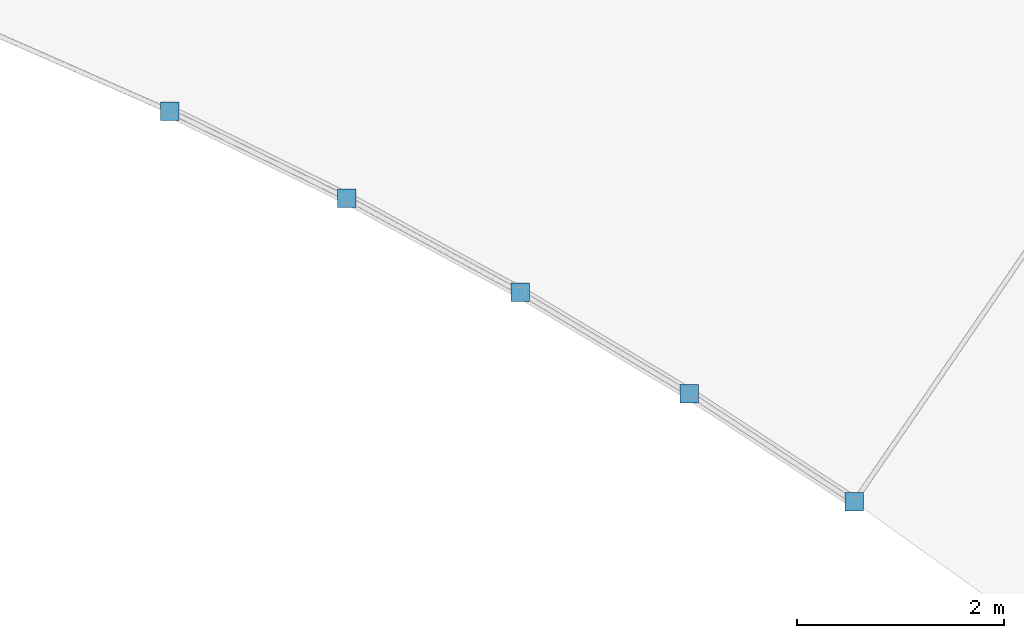
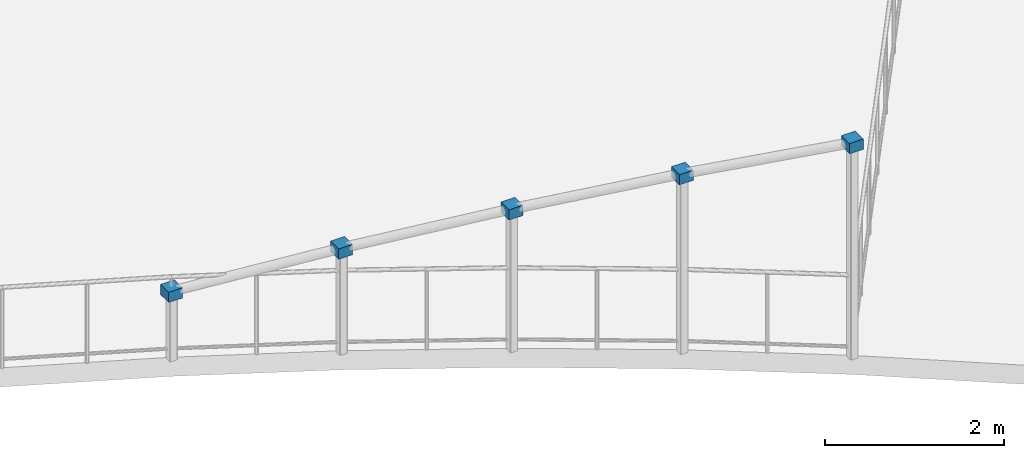
# One storey, part 48 of 58: 5 discrete accessories.
"""IFC4 building model written with IfcOpenShell, lengths in metres."""

import ifcopenshell
import ifcopenshell.guid

model = None  # the IFC model being written
_history = None  # IfcOwnerHistory: only IFC2X3 demands one
_inside = {}  # id of a spatial element -> (the spatial element, [elements in it])
_under = {}  # id of a project, library or spatial element -> (it, [spatial elements below it])
_declared = {}  # id of a project -> (the project, [libraries it declares])
_typed = {}  # id of a type object -> (the type object, [elements of that type])
_made_of = {}  # id of a material, layer set ... -> (it, [elements and type objects made of it])


def new_model(schema):
    """Start an empty IFC model of exactly this schema.

    Asked for "IFC4X3", IfcOpenShell would pick the latest addendum, in which some entities
    have other attributes; the version numbers below select the first issue.
    IFC2X3 requires an IfcOwnerHistory on every rooted entity: one is made here for all.
    """
    global model, _history
    if schema == "IFC4X3":
        model = ifcopenshell.file(schema_version=(4, 3, 0, 0))
    else:
        model = ifcopenshell.file(schema=schema)
    _inside.clear()
    _under.clear()
    _declared.clear()
    _typed.clear()
    _made_of.clear()
    _history = None
    if model.schema == "IFC2X3":
        org = make("IfcOrganization", Name="unknown")
        user = make(
            "IfcPersonAndOrganization",
            ThePerson=make("IfcPerson", FamilyName="unknown"),
            TheOrganization=org,
        )
        app = make(
            "IfcApplication",
            ApplicationDeveloper=org,
            Version="unknown",
            ApplicationFullName="unknown",
            ApplicationIdentifier="unknown",
        )
        _history = make(
            "IfcOwnerHistory",
            OwningUser=user,
            OwningApplication=app,
            ChangeAction="ADDED",
            CreationDate=0,
        )
    return model


def make(cls, **values):
    """One entity of the class cls with the attributes given. An attribute that is None is left unset."""
    return model.create_entity(
        cls, **{name: value for name, value in values.items() if value is not None}
    )


def rooted(cls, **values):
    """An entity with a GlobalId (a new one), such as an element, a storey or a relation."""
    return make(cls, GlobalId=ifcopenshell.guid.new(), OwnerHistory=_history, **values)


def si_unit(unit_type, name, prefix=None):
    """IfcSIUnit, for example si_unit("LENGTHUNIT", "METRE", prefix="MILLI")."""
    return make("IfcSIUnit", UnitType=unit_type, Prefix=prefix, Name=name)


def assignment(units):
    """IfcUnitAssignment: the units of a project."""
    return None if units is None else make("IfcUnitAssignment", Units=units)


def point(xyz):
    """IfcCartesianPoint."""
    return None if xyz is None else make("IfcCartesianPoint", Coordinates=xyz)


def direction(xyz):
    """IfcDirection."""
    return None if xyz is None else make("IfcDirection", DirectionRatios=xyz)


def frame(location, z_axis=None, x_axis=None):
    """IfcAxis2Placement3D, a coordinate frame: its origin and axes. An axis left out is left unset."""
    return make(
        "IfcAxis2Placement3D",
        Location=point(location),
        Axis=direction(z_axis),
        RefDirection=direction(x_axis),
    )


def frame_2d(location, x_axis=None):
    """IfcAxis2Placement2D, a coordinate frame in the plane: its origin and x axis."""
    return make(
        "IfcAxis2Placement2D", Location=point(location), RefDirection=direction(x_axis)
    )


def origin():
    """The frame at (0, 0, 0) with its axes left unset."""
    return frame((0.0, 0.0, 0.0))


def origin_2d():
    """The frame at (0, 0) in the plane with its x axis left unset."""
    return frame_2d((0.0, 0.0))


def place(relative_to, where):
    """IfcLocalPlacement: puts the frame where relative to a parent placement (None: the world)."""
    return make(
        "IfcLocalPlacement", PlacementRelTo=relative_to, RelativePlacement=where
    )


def context(
    kind, dimensions, precision=None, world=None, true_north=None, identifier=None
):
    """IfcGeometricRepresentationContext, for example the 3D "Model" context."""
    return make(
        "IfcGeometricRepresentationContext",
        ContextIdentifier=identifier,
        ContextType=kind,
        CoordinateSpaceDimension=dimensions,
        Precision=precision,
        WorldCoordinateSystem=world,
        TrueNorth=true_north,
    )


def subcontext(parent, identifier, kind, view, scale=None):
    """IfcGeometricRepresentationSubContext, for example "Body" below "Model"."""
    return make(
        "IfcGeometricRepresentationSubContext",
        ContextIdentifier=identifier,
        ContextType=kind,
        ParentContext=parent,
        TargetScale=scale,
        TargetView=view,
    )


def project(units=None, contexts=None):
    """IfcProject with its units and contexts."""
    return rooted(
        "IfcProject",
        Name="project",
        RepresentationContexts=contexts,
        UnitsInContext=assignment(units),
    )


def spatial(cls, under=None, at=None, **own):
    """A site, building, storey or space (cls), placed at a placement, below another one or the project."""
    s = rooted(cls, ObjectPlacement=at, **own)
    if under is not None:
        _under.setdefault(under.id(), (under, []))[1].append(s)
    return s


def profile(cls, at=None, kind="AREA", **sizes):
    """A parametric profile (cls). Its sizes go by their IFC names, for example OverallWidth=200.0."""
    return make(cls, ProfileType=kind, Position=at, **sizes)


def rectangle(**sizes):
    """IfcRectangleProfileDef."""
    return profile("IfcRectangleProfileDef", **sizes)


def extrude(swept, where, along, depth):
    """IfcExtrudedAreaSolid: the profile swept, set in the frame where, extruded along a direction by depth."""
    return make(
        "IfcExtrudedAreaSolid",
        SweptArea=swept,
        Position=where,
        ExtrudedDirection=direction(along),
        Depth=depth,
    )


def shape(context_of_items, identifier, shape_type, items):
    """IfcShapeRepresentation: the items that make up one representation, for example the "Body"."""
    return make(
        "IfcShapeRepresentation",
        ContextOfItems=context_of_items,
        RepresentationIdentifier=identifier,
        RepresentationType=shape_type,
        Items=items,
    )


def material(Name=None, Category=None):
    """IfcMaterial."""
    return make("IfcMaterial", Name=Name, Category=Category)


def made_of(thing, what):
    """Note that an element or type object is made of a material, layer set ...; save() writes the relation."""
    if what is not None:
        _made_of.setdefault(what.id(), (what, []))[1].append(thing)
    return thing


def type_object(cls, material=None, **own):
    """A type object (cls), such as IfcWallType, which elements share."""
    return made_of(rooted(cls, **own), material)


def element(
    cls,
    number,
    at=None,
    inside=None,
    cuts=None,
    type_object=None,
    material=None,
    context=None,
    identifier="Body",
    shape_type=None,
    held_by="IfcProductDefinitionShape",
    body=None,
    shapes=None,
    **own,
):
    """One element of the class cls, such as IfcWall. Its Tag is "e" and its number.

    at: its placement. inside: the storey or other place that contains it. cuts: it is an
    opening in that element (IfcRelVoidsElement). A single representation is given by context,
    identifier, shape_type and body (its items); several are given by shapes. held_by: the class
    of the entity that holds the representations. save() writes the other relations.
    """
    e = rooted(cls, Tag="e%d" % number, ObjectPlacement=at, **own)
    if body is not None:
        shapes = [shape(context, identifier, shape_type, body)]
    if shapes is not None:
        e.Representation = make(held_by, Representations=shapes)
    if inside is not None:
        _inside.setdefault(inside.id(), (inside, []))[1].append(e)
    if cuts is not None:
        rooted(
            "IfcRelVoidsElement", RelatingBuildingElement=cuts, RelatedOpeningElement=e
        )
    if type_object is not None:
        _typed.setdefault(type_object.id(), (type_object, []))[1].append(e)
    return made_of(e, material)


def aggregate(whole, parts):
    """IfcRelAggregates: a whole, such as a stair, and the parts it consists of."""
    return rooted("IfcRelAggregates", RelatingObject=whole, RelatedObjects=parts)


def save(model, path):
    """Write the relations noted so far, then the file.

    IfcRelAggregates (storeys below a building ...), IfcRelContainedInSpatialStructure (elements
    in a storey), IfcRelDefinesByType, IfcRelAssociatesMaterial and IfcRelDeclares: one each for
    every whole, place, type object, material and project.
    """
    for whole, parts in _under.values():
        aggregate(whole, parts)
    for where, things in _inside.values():
        rooted(
            "IfcRelContainedInSpatialStructure",
            RelatedElements=things,
            RelatingStructure=where,
        )
    for kind, things in _typed.values():
        rooted("IfcRelDefinesByType", RelatedObjects=things, RelatingType=kind)
    for what, things in _made_of.values():
        rooted("IfcRelAssociatesMaterial", RelatedObjects=things, RelatingMaterial=what)
    for by, libraries in _declared.values():
        rooted("IfcRelDeclares", RelatingContext=by, RelatedDefinitions=libraries)
    model.write(path)


model = new_model("IFC4")

# Units and contexts
model_context = context("Model", 3, precision=1e-05, world=origin(), true_north=direction((0.0, 1.0)))
body_context = subcontext(model_context, "Body", "Model", "MODEL_VIEW")
ifc_project = project(units=[si_unit("LENGTHUNIT", "METRE"), si_unit("AREAUNIT", "SQUARE_METRE"), si_unit("VOLUMEUNIT", "CUBIC_METRE"), si_unit("PLANEANGLEUNIT", "RADIAN"), si_unit("MASSUNIT", "GRAM", prefix="KILO"), si_unit("POWERUNIT", "WATT"), si_unit("THERMODYNAMICTEMPERATUREUNIT", "KELVIN")], contexts=[model_context])

# Site, building, storey
site_placement = place(None, origin())
site = spatial("IfcSite", under=ifc_project, at=site_placement, CompositionType="ELEMENT")
building_placement = place(site_placement, origin())
building = spatial("IfcBuilding", under=site, at=building_placement, Name="Ruvembo Vaulted Housing Court", CompositionType="ELEMENT")
storey_placement = place(building_placement, frame((0.0, 0.0, 20.5)))
storey = spatial("IfcBuildingStorey", under=building, at=storey_placement, Name="L06", CompositionType="ELEMENT", Elevation=20.5)

# Discrete accessories
ifc_material = material(Name="Steel S355J2", Category="steel")
discrete_accessory_type = type_object("IfcDiscreteAccessoryType", Name="ACC-STL-NODE", PredefinedType="BRACKET", material=ifc_material)
for number, where, z_axis, x_axis, name in (
    (1, (136.336181640625, 91.51806640625, 0.830078125), (0.0, 0.0, 1.0), (1.0, 0.0, 0.0), "Scoop SC3 Crest Strut End Connector 25A"),
    (2, (138.04248046875, 90.6796875, 1.330078125), (0.0, 0.0, 1.0), (1.0, 0.0, 0.0), "Scoop SC3 Crest Strut End Connector 26A"),
    (3, (139.712646484375, 89.771484375, 1.830078125), (0.0, 0.0, 1.0), (1.0, 0.0, 0.0), "Scoop SC3 Crest Strut End Connector 27A"),
    (4, (141.343505859375, 88.794677734375, 2.330078125), (0.0, 0.0, 1.0), (1.0, 0.0, 0.0), "Scoop SC3 Crest Strut End Connector 28A"),
    (5, (142.9326171875, 87.751220703125, 2.830078125), (0.0, 0.0, 1.0), (1.0, 0.0, 0.0), "Scoop SC3 Crest Strut End Connector 28B"),
):
    element("IfcDiscreteAccessory", number, at=place(storey_placement, frame(where, z_axis=z_axis, x_axis=x_axis)), inside=storey, type_object=discrete_accessory_type, Name=name, PredefinedType="BRACKET", context=body_context, shape_type="SweptSolid", body=[
        extrude(rectangle(XDim=0.179931640625, YDim=0.179931640625, at=origin_2d()), origin(), (0.0, 0.0, 1.0), 0.139892578125),
    ])

save(model, "model.ifc")
